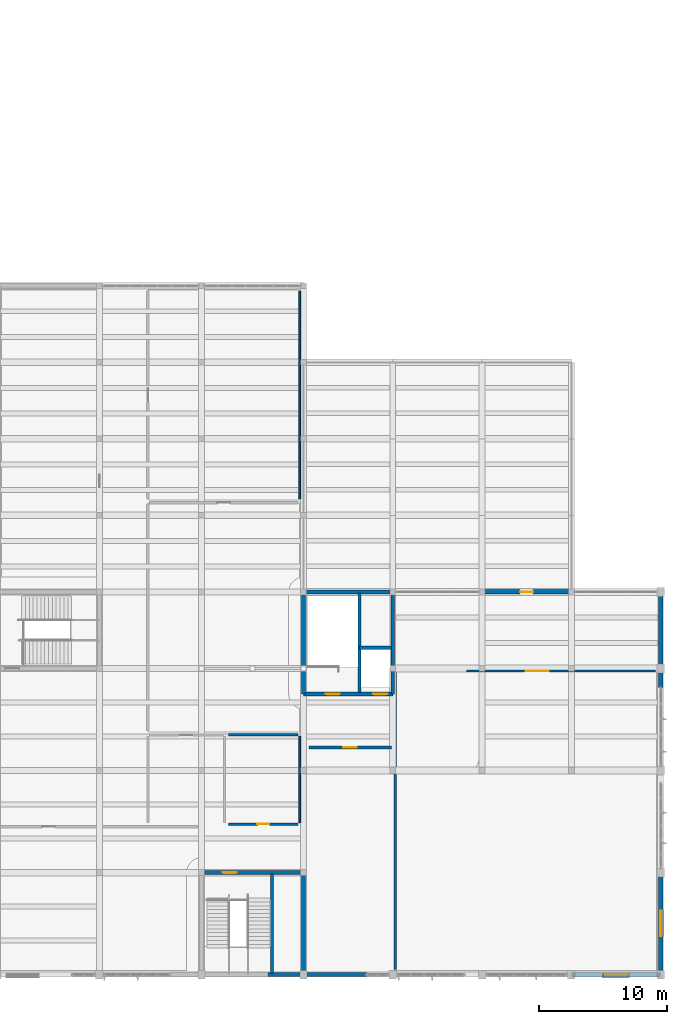
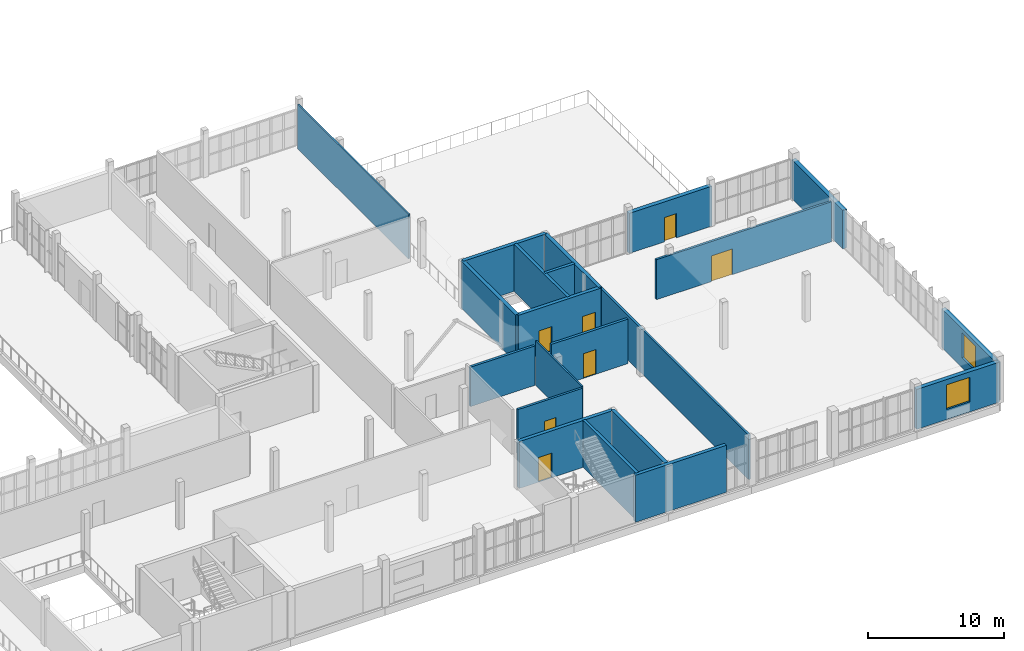
# One storey, part 57 of 70: 21 walls, 7 doors, 2 windows, 9 openings.
"""IFC4 building model written with IfcOpenShell, lengths in metres."""

from ifc_helpers import new_model, si_unit, direction, frame, frame_2d, origin, place, context, subcontext, project, spatial, rectangle, extrude, material, layer, layer_set, type_object, element, fill, save


model = new_model("IFC4")

# Units and contexts
model_context = context("Model", 3, precision=1e-05, world=origin(), true_north=direction((0.0, 1.0)))
body_context = subcontext(model_context, "Body", "Model", "MODEL_VIEW")
ifc_project = project(units=[si_unit("LENGTHUNIT", "METRE"), si_unit("AREAUNIT", "SQUARE_METRE"), si_unit("VOLUMEUNIT", "CUBIC_METRE"), si_unit("PLANEANGLEUNIT", "RADIAN"), si_unit("MASSUNIT", "GRAM", prefix="KILO")], contexts=[model_context])

# Site, building, storey
site_placement = place(None, origin())
site = spatial("IfcSite", under=ifc_project, at=site_placement, CompositionType="ELEMENT")
building_placement = place(site_placement, origin())
building = spatial("IfcBuilding", under=site, at=building_placement, Name="Solvane Community Centre", CompositionType="ELEMENT")
storey_placement = place(building_placement, frame((0.0, 0.0, 9.60009765625)))
storey = spatial("IfcBuildingStorey", under=building, at=storey_placement, Name="L02", CompositionType="ELEMENT", Elevation=9.60009765625)

# Walls
ifc_material_1 = material(Name="Gypsum board partition")
ifc_layer_1 = layer(ifc_material_1, 0.1298828125)
ifc_layer_set_1 = layer_set([ifc_layer_1], Name="Gypsum board partition")
wall_type_1 = type_object("IfcWallType", Name="Acoustic Partition 130mm [163x40dm]", PredefinedType="PARTITIONING", material=ifc_layer_set_1)
wall_1_placement = place(storey_placement, frame((139.699951171875, 43.320068359375, 0.0), z_axis=(0.0, 0.0, 1.0), x_axis=(0.0, 1.0, 0.0)))
element("IfcWall", 1, at=wall_1_placement, inside=storey, type_object=wall_type_1, Name="Interior Wall WL-INT-L02-0326", PredefinedType="PARTITIONING", context=body_context, shape_type="SweptSolid", body=[
    extrude(rectangle(XDim=16.260009765625, YDim=0.1298828125, at=frame_2d((8.1298828125, 0.0))), origin(), (0.0, 0.0, 1.0), 3.97998046875),
])
ifc_layer_2 = layer(ifc_material_1, 0.1298828125)
ifc_layer_set_2 = layer_set([ifc_layer_2], Name="Gypsum board partition")
wall_type_2 = type_object("IfcWallType", Name="Acoustic Partition 130mm [68x40dm]", PredefinedType="PARTITIONING", material=ifc_layer_set_2)
wall_2_placement = place(storey_placement, frame((139.699951171875, 17.919921875, 0.0), z_axis=(0.0, 0.0, 1.0), x_axis=(0.0, 1.0, 0.0)))
element("IfcWall", 2, at=wall_2_placement, inside=storey, type_object=wall_type_2, Name="Interior Wall WL-INT-L02-0321", PredefinedType="PARTITIONING", context=body_context, shape_type="SweptSolid", body=[
    extrude(rectangle(XDim=6.760009765625, YDim=0.1298828125, at=frame_2d((3.3798828125, 0.0))), origin(), (0.0, 0.0, 1.0), 3.97998046875),
])

# Wall, opening, door
ifc_layer_3 = layer(ifc_material_1, 0.18994140625)
ifc_layer_set_3 = layer_set([ifc_layer_3], Name="Gypsum board partition")
wall_type_3 = type_object("IfcWallType", Name="Acoustic Partition 190mm [55x40dm]", PredefinedType="PARTITIONING", material=ifc_layer_set_3)
wall_3_placement = place(storey_placement, frame((134.1201171875, 17.800048828125, 0.0), z_axis=(0.0, 0.0, 1.0), x_axis=(1.0, 0.0, 0.0)))
wall_3 = element("IfcWall", 3, at=wall_3_placement, inside=storey, type_object=wall_type_3, Name="Interior Wall WL-INT-L02-0319", PredefinedType="PARTITIONING", context=body_context, shape_type="SweptSolid", body=[
    extrude(rectangle(XDim=5.4599609375, YDim=0.18994140625, at=frame_2d((2.72998046875, 0.0))), origin(), (0.0, 0.0, 1.0), 3.97998046875),
])
opening_1_placement = place(wall_3_placement, frame((2.2548828125, 0.0, 0.0)))
opening_1 = element("IfcOpeningElement", 4, at=opening_1_placement, cuts=wall_3, Name="Opening ID03", PredefinedType="OPENING", context=body_context, shape_type="SweptSolid", body=[
    extrude(rectangle(XDim=0.949951171875, YDim=2.14990234375, at=frame_2d((0.47509765625, 1.074951171875))), frame((0.0, 0.10498046875, 0.0), z_axis=(0.0, -1.0, 0.0), x_axis=(1.0, 0.0, 0.0)), (0.0, 0.0, 1.0), 0.2099609375),
])
ifc_material_2 = material(Name="Anodised bronze aluminium AW-6063 T6", Category="aluminium")
door_type_1 = type_object("IfcDoorType", Name="Accessible Sanitary Door 950x2150", OperationType="NOTDEFINED", PredefinedType="DOOR", material=ifc_material_2)
door_1_placement = place(opening_1_placement, origin())
door_1 = element("IfcDoor", 5, at=door_1_placement, inside=storey, type_object=door_type_1, Name="L02-D123", OperationType="SINGLE_SWING_LEFT", OverallHeight=2.14990234375, OverallWidth=0.949951171875, PredefinedType="DOOR", context=body_context, shape_type="SweptSolid", body=[
    extrude(rectangle(XDim=0.949951171875, YDim=2.14990234375, at=frame_2d((0.47509765625, 1.074951171875))), frame((0.0, 0.02490234375, 0.0), z_axis=(0.0, -1.0, 0.0), x_axis=(1.0, 0.0, 0.0)), (0.0, 0.0, 1.0), 0.050048828125),
])
fill(opening_1, door_1)

# Wall
ifc_layer_4 = layer(ifc_material_1, 0.2099609375)
ifc_layer_set_4 = layer_set([ifc_layer_4], Name="Gypsum board partition")
wall_type_4 = type_object("IfcWallType", Name="Acoustic Partition 210mm [55x35dm]", PredefinedType="PARTITIONING", material=ifc_layer_set_4)
wall_4_placement = place(storey_placement, frame((139.580078125, 24.800048828125, 0.0), z_axis=(0.0, 0.0, 1.0), x_axis=(-1.0, 0.0, 0.0)))
element("IfcWall", 6, at=wall_4_placement, inside=storey, type_object=wall_type_4, Name="Interior Wall WL-INT-L02-0320", PredefinedType="PARTITIONING", context=body_context, shape_type="SweptSolid", body=[
    extrude(rectangle(XDim=5.4599609375, YDim=0.2099609375, at=frame_2d((2.72998046875, 0.0))), origin(), (0.0, 0.0, 1.0), 3.52490234375),
])

# Wall, opening, window
ifc_material_3 = material(Name="Precast concrete C35/45", Category="concrete")
ifc_layer_5 = layer(ifc_material_3, 0.35009765625)
ifc_layer_set_5 = layer_set([ifc_layer_5], Name="Precast concrete C35/45")
wall_type_5 = type_object("IfcWallType", Name="Art Deco Limestone Cavity Wall 350mm [70x36dm]", PredefinedType="SOLIDWALL", material=ifc_layer_set_5)
wall_5_placement = place(storey_placement, frame((168.0, 6.0, 0.0), z_axis=(0.0, 0.0, 1.0), x_axis=(-1.0, 0.0, 0.0)))
wall_5 = element("IfcWall", 7, at=wall_5_placement, inside=storey, type_object=wall_type_5, Name="Exterior Wall WL-EXT-L02-0106", PredefinedType="SOLIDWALL", context=body_context, shape_type="SweptSolid", body=[
    extrude(rectangle(XDim=7.0, YDim=0.35009765625, at=frame_2d((3.5, 0.0))), origin(), (0.0, 0.0, 1.0), 3.579833984375),
])
opening_2_placement = place(wall_5_placement, frame((2.5, 0.0, 0.89990234375)))
opening_2 = element("IfcOpeningElement", 8, at=opening_2_placement, cuts=wall_5, Name="Opening WN02", PredefinedType="OPENING", context=body_context, shape_type="SweptSolid", body=[
    extrude(rectangle(XDim=2.0, YDim=2.199951171875, at=frame_2d((1.0, 1.10009765625))), frame((0.0, 0.18505859375, 0.0), z_axis=(0.0, -1.0, 0.0), x_axis=(1.0, 0.0, 0.0)), (0.0, 0.0, 1.0), 0.3701171875),
])
ifc_material_4 = material(Name="Tempered low-E double glazing", Category="glass")
window_type = type_object("IfcWindowType", Name="Classroom Paired Window 2000x2200", PartitioningType="DOUBLE_PANEL_VERTICAL", PredefinedType="WINDOW", material=ifc_material_4)
window_1_placement = place(opening_2_placement, origin())
window_1 = element("IfcWindow", 9, at=window_1_placement, inside=storey, type_object=window_type, Name="L02-W049", OverallHeight=2.199951171875, OverallWidth=2.0, PartitioningType="DOUBLE_PANEL_VERTICAL", PredefinedType="WINDOW", context=body_context, shape_type="SweptSolid", body=[
    extrude(rectangle(XDim=2.0, YDim=2.199951171875, at=frame_2d((1.0, 1.10009765625))), frame((0.0, 0.030029296875, 0.0), z_axis=(0.0, -1.0, 0.0), x_axis=(1.0, 0.0, 0.0)), (0.0, 0.0, 1.0), 0.06005859375),
])
fill(opening_2, window_1)

# Wall, opening, door
wall_6_placement = place(storey_placement, frame((154.0, 36.0, 0.0), z_axis=(0.0, 0.0, 1.0), x_axis=(1.0, 0.0, 0.0)))
wall_6 = element("IfcWall", 10, at=wall_6_placement, inside=storey, type_object=wall_type_5, Name="Exterior Wall WL-EXT-L02-0124", PredefinedType="SOLIDWALL", context=body_context, shape_type="SweptSolid", body=[
    extrude(rectangle(XDim=7.0, YDim=0.35009765625, at=frame_2d((3.5, 0.0))), origin(), (0.0, 0.0, 1.0), 3.579833984375),
])
opening_3_placement = place(wall_6_placement, frame((2.989990234375, 0.0, 0.0)))
opening_3 = element("IfcOpeningElement", 11, at=opening_3_placement, cuts=wall_6, Name="Opening D09", PredefinedType="OPENING", context=body_context, shape_type="SweptSolid", body=[
    extrude(rectangle(XDim=1.02001953125, YDim=2.179931640625, at=frame_2d((0.510009765625, 1.08984375))), frame((0.0, 0.18505859375, 0.0), z_axis=(0.0, -1.0, 0.0), x_axis=(1.0, 0.0, 0.0)), (0.0, 0.0, 1.0), 0.3701171875),
])
door_type_2 = type_object("IfcDoorType", Name="Roof Garden Single Leaf 1020x2180", OperationType="NOTDEFINED", PredefinedType="DOOR", material=ifc_material_2)
door_2_placement = place(opening_3_placement, origin())
door_2 = element("IfcDoor", 12, at=door_2_placement, inside=storey, type_object=door_type_2, Name="L02-ED30", OperationType="SINGLE_SWING_LEFT", OverallHeight=2.179931640625, OverallWidth=1.02001953125, PredefinedType="DOOR", context=body_context, shape_type="SweptSolid", body=[
    extrude(rectangle(XDim=1.02001953125, YDim=2.179931640625, at=frame_2d((0.510009765625, 1.08984375))), frame((0.0, 0.02490234375, 0.0), z_axis=(0.0, -1.0, 0.0), x_axis=(1.0, 0.0, 0.0)), (0.0, 0.0, 1.0), 0.050048828125),
])
fill(opening_3, door_2)

# Wall
ifc_layer_6 = layer(ifc_material_3, 0.35009765625)
ifc_layer_set_6 = layer_set([ifc_layer_6], Name="Precast concrete C35/45")
wall_type_6 = type_object("IfcWallType", Name="Art Deco Limestone Cavity Wall 350mm [75x35dm]", PredefinedType="SOLIDWALL", material=ifc_layer_set_6)
wall_7_placement = place(storey_placement, frame((168.0, 36.0, 0.0), z_axis=(0.0, 0.0, 1.0), x_axis=(0.0, -1.0, 0.0)))
element("IfcWall", 13, at=wall_7_placement, inside=storey, type_object=wall_type_6, Name="Exterior Wall WL-EXT-L02-0125", PredefinedType="SOLIDWALL", context=body_context, shape_type="SweptSolid", body=[
    extrude(rectangle(XDim=7.5, YDim=0.35009765625, at=frame_2d((3.75, 0.0))), origin(), (0.0, 0.0, 1.0), 3.46484375),
])

# Wall, opening, window
ifc_layer_7 = layer(ifc_material_3, 0.35009765625)
ifc_layer_set_7 = layer_set([ifc_layer_7], Name="Precast concrete C35/45")
wall_type_7 = type_object("IfcWallType", Name="Art Deco Limestone Cavity Wall 350mm [80x35dm]", PredefinedType="SOLIDWALL", material=ifc_layer_set_7)
wall_8_placement = place(storey_placement, frame((168.0, 14.0, 0.0), z_axis=(0.0, 0.0, 1.0), x_axis=(0.0, -1.0, 0.0)))
wall_8 = element("IfcWall", 14, at=wall_8_placement, inside=storey, type_object=wall_type_7, Name="Exterior Wall WL-EXT-L02-0126", PredefinedType="SOLIDWALL", context=body_context, shape_type="SweptSolid", body=[
    extrude(rectangle(XDim=8.0, YDim=0.35009765625, at=frame_2d((4.0, 0.0))), origin(), (0.0, 0.0, 1.0), 3.46484375),
])
opening_4_placement = place(wall_8_placement, frame((3.0, 0.0, 0.89990234375)))
opening_4 = element("IfcOpeningElement", 15, at=opening_4_placement, cuts=wall_8, Name="Opening WN02", PredefinedType="OPENING", context=body_context, shape_type="SweptSolid", body=[
    extrude(rectangle(XDim=2.0, YDim=2.199951171875, at=frame_2d((1.0, 1.10009765625))), frame((0.0, 0.18505859375, 0.0), z_axis=(0.0, -1.0, 0.0), x_axis=(1.0, 0.0, 0.0)), (0.0, 0.0, 1.0), 0.3701171875),
])
window_2_placement = place(opening_4_placement, origin())
window_2 = element("IfcWindow", 16, at=window_2_placement, inside=storey, type_object=window_type, Name="L02-W054", OverallHeight=2.199951171875, OverallWidth=2.0, PartitioningType="DOUBLE_PANEL_VERTICAL", PredefinedType="WINDOW", context=body_context, shape_type="SweptSolid", body=[
    extrude(rectangle(XDim=2.0, YDim=2.199951171875, at=frame_2d((1.0, 1.10009765625))), frame((0.0, 0.030029296875, 0.0), z_axis=(0.0, -1.0, 0.0), x_axis=(1.0, 0.0, 0.0)), (0.0, 0.0, 1.0), 0.06005859375),
])
fill(opening_4, window_2)

# Wall, opening, door
ifc_material_5 = material(Name="Terracotta clay masonry", Category="masonry")
ifc_layer_8 = layer(ifc_material_5, 0.219970703125)
ifc_layer_set_8 = layer_set([ifc_layer_8], Name="Terracotta clay masonry")
wall_type_8 = type_object("IfcWallType", Name="Masonry Compartment Wall 220mm [65x40dm]", PredefinedType="SOLIDWALL", material=ifc_layer_set_8)
wall_9_placement = place(storey_placement, frame((146.8798828125, 23.800048828125, 0.0), z_axis=(0.0, 0.0, 1.0), x_axis=(-1.0, 0.0, 0.0)))
wall_9 = element("IfcWall", 17, at=wall_9_placement, inside=storey, type_object=wall_type_8, Name="Interior Wall WL-INT-L02-0329", PredefinedType="SOLIDWALL", context=body_context, shape_type="SweptSolid", body=[
    extrude(rectangle(XDim=6.4599609375, YDim=0.219970703125, at=frame_2d((3.22998046875, 0.0))), origin(), (0.0, 0.0, 1.0), 3.97998046875),
])
opening_5_placement = place(wall_9_placement, frame((2.705078125, 0.0, 0.0)))
opening_5 = element("IfcOpeningElement", 18, at=opening_5_placement, cuts=wall_9, Name="Opening FD01", PredefinedType="OPENING", context=body_context, shape_type="SweptSolid", body=[
    extrude(rectangle(XDim=1.050048828125, YDim=2.199951171875, at=frame_2d((0.52490234375, 1.10009765625))), frame((0.0, 0.119873046875, 0.0), z_axis=(0.0, -1.0, 0.0), x_axis=(1.0, 0.0, 0.0)), (0.0, 0.0, 1.0), 0.239990234375),
])
door_type_3 = type_object("IfcDoorType", Name="Compartment Fire Door 1050x2200", OperationType="NOTDEFINED", PredefinedType="DOOR", material=ifc_material_2)
door_3_placement = place(opening_5_placement, origin())
door_3 = element("IfcDoor", 19, at=door_3_placement, inside=storey, type_object=door_type_3, Name="L02-D128", OperationType="SINGLE_SWING_LEFT", OverallHeight=2.199951171875, OverallWidth=1.050048828125, PredefinedType="DOOR", context=body_context, shape_type="SweptSolid", body=[
    extrude(rectangle(XDim=1.050048828125, YDim=2.199951171875, at=frame_2d((0.52490234375, 1.10009765625))), frame((0.0, 0.02490234375, 0.0), z_axis=(0.0, -1.0, 0.0), x_axis=(1.0, 0.0, 0.0)), (0.0, 0.0, 1.0), 0.050048828125),
])
fill(opening_5, door_3)

ifc_layer_9 = layer(ifc_material_1, 0.179931640625)
ifc_layer_set_9 = layer_set([ifc_layer_9], Name="Gypsum board partition")
wall_type_9 = type_object("IfcWallType", Name="Protected Corridor Wall 180mm [148x36dm]", PredefinedType="PARTITIONING", material=ifc_layer_set_9)
wall_10_placement = place(storey_placement, frame((167.580078125, 29.800048828125, 0.0), z_axis=(0.0, 0.0, 1.0), x_axis=(-1.0, 0.0, 0.0)))
wall_10 = element("IfcWall", 20, at=wall_10_placement, inside=storey, type_object=wall_type_9, Name="Interior Wall WL-INT-L02-0327", PredefinedType="PARTITIONING", context=body_context, shape_type="SweptSolid", body=[
    extrude(rectangle(XDim=14.820068359375, YDim=0.179931640625, at=frame_2d((7.41015625, 0.0))), origin(), (0.0, 0.0, 1.0), 3.579833984375),
])
opening_6_placement = place(wall_10_placement, frame((8.373046875, 0.0, 0.0)))
opening_6 = element("IfcOpeningElement", 21, at=opening_6_placement, cuts=wall_10, Name="Opening ID02", PredefinedType="OPENING", context=body_context, shape_type="SweptSolid", body=[
    extrude(rectangle(XDim=1.800048828125, YDim=2.300048828125, at=frame_2d((0.89990234375, 1.14990234375))), frame((0.0, 0.099853515625, 0.0), z_axis=(0.0, -1.0, 0.0), x_axis=(1.0, 0.0, 0.0)), (0.0, 0.0, 1.0), 0.199951171875),
])
door_type_4 = type_object("IfcDoorType", Name="Hall Acoustic Double Door 1800x2300", OperationType="NOTDEFINED", PredefinedType="DOOR", material=ifc_material_2)
door_4_placement = place(opening_6_placement, origin())
door_4 = element("IfcDoor", 22, at=door_4_placement, inside=storey, type_object=door_type_4, Name="L02-D127", OperationType="DOUBLE_DOOR_SINGLE_SWING", OverallHeight=2.300048828125, OverallWidth=1.800048828125, PredefinedType="DOOR", context=body_context, shape_type="SweptSolid", body=[
    extrude(rectangle(XDim=1.800048828125, YDim=2.300048828125, at=frame_2d((0.89990234375, 1.14990234375))), frame((0.0, 0.02490234375, 0.0), z_axis=(0.0, -1.0, 0.0), x_axis=(1.0, 0.0, 0.0)), (0.0, 0.0, 1.0), 0.050048828125),
])
fill(opening_6, door_4)

# Wall
ifc_layer_10 = layer(ifc_material_1, 0.179931640625)
ifc_layer_set_10 = layer_set([ifc_layer_10], Name="Gypsum board partition")
wall_type_10 = type_object("IfcWallType", Name="Protected Corridor Wall 180mm [233x40dm]", PredefinedType="PARTITIONING", material=ifc_layer_set_10)
wall_11_placement = place(storey_placement, frame((147.199951171875, 29.679931640625, 0.0), z_axis=(0.0, 0.0, 1.0), x_axis=(0.0, -1.0, 0.0)))
element("IfcWall", 23, at=wall_11_placement, inside=storey, type_object=wall_type_10, Name="Interior Wall WL-INT-L02-0328", PredefinedType="PARTITIONING", context=body_context, shape_type="SweptSolid", body=[
    extrude(rectangle(XDim=23.260009765625, YDim=0.179931640625, at=frame_2d((11.6298828125, 0.0))), origin(), (0.0, 0.0, 1.0), 3.97998046875),
])

# Wall, openings, doors
ifc_material_6 = material(Name="Concrete C35/45", Category="concrete")
ifc_layer_11 = layer(ifc_material_6, 0.300048828125)
ifc_layer_set_11 = layer_set([ifc_layer_11], Name="Concrete C35/45")
wall_type_11 = type_object("IfcWallType", Name="RC Core Shear Wall 300mm [70x42dm]", PredefinedType="SHEAR", material=ifc_layer_set_11)
wall_12_placement = place(storey_placement, frame((147.0, 28.0, 0.0), z_axis=(0.0, 0.0, 1.0), x_axis=(-1.0, 0.0, 0.0)))
wall_12 = element("IfcWall", 24, at=wall_12_placement, inside=storey, type_object=wall_type_11, Name="Interior Wall WL-INT-L02-0117", PredefinedType="SHEAR", context=body_context, shape_type="SweptSolid", body=[
    extrude(rectangle(XDim=7.0, YDim=0.300048828125, at=frame_2d((3.5, 0.0))), origin(), (0.0, 0.0, 1.0), 4.199951171875),
])
opening_7_placement = place(wall_12_placement, frame((4.14990234375, 0.0, 0.0)))
opening_7 = element("IfcOpeningElement", 25, at=opening_7_placement, cuts=wall_12, Name="Opening SD02", PredefinedType="OPENING", context=body_context, shape_type="SweptSolid", body=[
    extrude(rectangle(XDim=1.10009765625, YDim=2.199951171875, at=frame_2d((0.550048828125, 1.10009765625))), frame((0.0, 0.159912109375, 0.0), z_axis=(0.0, -1.0, 0.0), x_axis=(1.0, 0.0, 0.0)), (0.0, 0.0, 1.0), 0.320068359375),
])
opening_8_placement = place(wall_12_placement, frame((0.449951171875, 0.0, 0.0)))
opening_8 = element("IfcOpeningElement", 26, at=opening_8_placement, cuts=wall_12, Name="Opening LD01", PredefinedType="OPENING", context=body_context, shape_type="SweptSolid", body=[
    extrude(rectangle(XDim=1.10009765625, YDim=2.199951171875, at=frame_2d((0.550048828125, 1.10009765625))), frame((0.0, 0.159912109375, 0.0), z_axis=(0.0, -1.0, 0.0), x_axis=(1.0, 0.0, 0.0)), (0.0, 0.0, 1.0), 0.320068359375),
])
door_type_5 = type_object("IfcDoorType", Name="Core Stair Fire Door 1100x2200", OperationType="NOTDEFINED", PredefinedType="DOOR", material=ifc_material_2)
door_5_placement = place(opening_7_placement, origin())
door_5 = element("IfcDoor", 27, at=door_5_placement, inside=storey, type_object=door_type_5, Name="L02-D043", OperationType="SINGLE_SWING_LEFT", OverallHeight=2.199951171875, OverallWidth=1.10009765625, PredefinedType="DOOR", context=body_context, shape_type="SweptSolid", body=[
    extrude(rectangle(XDim=1.10009765625, YDim=2.199951171875, at=frame_2d((0.550048828125, 1.10009765625))), frame((0.0, 0.02490234375, 0.0), z_axis=(0.0, -1.0, 0.0), x_axis=(1.0, 0.0, 0.0)), (0.0, 0.0, 1.0), 0.050048828125),
])
fill(opening_7, door_5)
door_type_6 = type_object("IfcDoorType", Name="Lift Sliding Landing Door 1100x2200", OperationType="NOTDEFINED", PredefinedType="DOOR", material=ifc_material_2)
door_6_placement = place(opening_8_placement, origin())
door_6 = element("IfcDoor", 28, at=door_6_placement, inside=storey, type_object=door_type_6, Name="L02-D044", OperationType="SLIDING_TO_LEFT", OverallHeight=2.199951171875, OverallWidth=1.10009765625, PredefinedType="DOOR", context=body_context, shape_type="SweptSolid", body=[
    extrude(rectangle(XDim=1.10009765625, YDim=2.199951171875, at=frame_2d((0.550048828125, 1.10009765625))), frame((0.0, 0.02490234375, 0.0), z_axis=(0.0, -1.0, 0.0), x_axis=(1.0, 0.0, 0.0)), (0.0, 0.0, 1.0), 0.050048828125),
])
fill(opening_8, door_6)

# Wall, opening, door
ifc_layer_12 = layer(ifc_material_6, 0.300048828125)
ifc_layer_set_12 = layer_set([ifc_layer_12], Name="Concrete C35/45")
wall_type_12 = type_object("IfcWallType", Name="RC Core Shear Wall 300mm [80x42dm]", PredefinedType="SHEAR", material=ifc_layer_set_12)
wall_13_placement = place(storey_placement, frame((132.0, 14.0, 0.0), z_axis=(0.0, 0.0, 1.0), x_axis=(1.0, 0.0, 0.0)))
wall_13 = element("IfcWall", 29, at=wall_13_placement, inside=storey, type_object=wall_type_12, Name="Interior Wall WL-INT-L02-0063", PredefinedType="SHEAR", context=body_context, shape_type="SweptSolid", body=[
    extrude(rectangle(XDim=8.0, YDim=0.300048828125, at=frame_2d((4.0, 0.0))), origin(), (0.0, 0.0, 1.0), 4.199951171875),
])
opening_9_placement = place(wall_13_placement, frame((1.64990234375, 0.0, 0.0)))
opening_9 = element("IfcOpeningElement", 30, at=opening_9_placement, cuts=wall_13, Name="Opening SD02", PredefinedType="OPENING", context=body_context, shape_type="SweptSolid", body=[
    extrude(rectangle(XDim=1.10009765625, YDim=2.199951171875, at=frame_2d((0.550048828125, 1.10009765625))), frame((0.0, 0.159912109375, 0.0), z_axis=(0.0, -1.0, 0.0), x_axis=(1.0, 0.0, 0.0)), (0.0, 0.0, 1.0), 0.320068359375),
])
door_7_placement = place(opening_9_placement, origin())
door_7 = element("IfcDoor", 31, at=door_7_placement, inside=storey, type_object=door_type_5, Name="L02-D025", OperationType="SINGLE_SWING_LEFT", OverallHeight=2.199951171875, OverallWidth=1.10009765625, PredefinedType="DOOR", context=body_context, shape_type="SweptSolid", body=[
    extrude(rectangle(XDim=1.10009765625, YDim=2.199951171875, at=frame_2d((0.550048828125, 1.10009765625))), frame((0.0, 0.02490234375, 0.0), z_axis=(0.0, -1.0, 0.0), x_axis=(1.0, 0.0, 0.0)), (0.0, 0.0, 1.0), 0.050048828125),
])
fill(opening_9, door_7)

# Walls
for number, where, z_axis, x_axis, name in (
    (32, (140.0, 14.0, 0.0), (0.0, 0.0, 1.0), (0.0, -1.0, 0.0), "Interior Wall WL-INT-L02-0064"),
    (33, (140.0, 28.0, 0.0), (0.0, 0.0, 1.0), (0.0, 1.0, 0.0), "Interior Wall WL-INT-L02-0118"),
    (34, (147.0, 36.0, 0.0), (0.0, 0.0, 1.0), (0.0, -1.0, 0.0), "Interior Wall WL-INT-L02-0119"),
):
    element("IfcWall", number, at=place(storey_placement, frame(where, z_axis=z_axis, x_axis=x_axis)), inside=storey, type_object=wall_type_12, Name=name, PredefinedType="SHEAR", context=body_context, shape_type="SweptSolid", body=[
        extrude(rectangle(XDim=8.0, YDim=0.300048828125, at=frame_2d((4.0, 0.0))), origin(), (0.0, 0.0, 1.0), 4.199951171875),
    ])
ifc_layer_13 = layer(ifc_material_6, 0.300048828125)
ifc_layer_set_13 = layer_set([ifc_layer_13], Name="Concrete C35/45")
wall_type_13 = type_object("IfcWallType", Name="RC Exterior Core Strip Wall 300mm [70x36dm]", PredefinedType="SOLIDWALL", material=ifc_layer_set_13)
wall_14_placement = place(storey_placement, frame((140.0, 36.0, 0.0), z_axis=(0.0, 0.0, 1.0), x_axis=(1.0, 0.0, 0.0)))
element("IfcWall", 35, at=wall_14_placement, inside=storey, type_object=wall_type_13, Name="Exterior Wall WL-EXT-L02-0123", PredefinedType="SOLIDWALL", context=body_context, shape_type="SweptSolid", body=[
    extrude(rectangle(XDim=7.0, YDim=0.300048828125, at=frame_2d((3.5, 0.0))), origin(), (0.0, 0.0, 1.0), 4.199951171875),
])
ifc_layer_14 = layer(ifc_material_6, 0.300048828125)
ifc_layer_set_14 = layer_set([ifc_layer_14], Name="Concrete C35/45")
wall_type_14 = type_object("IfcWallType", Name="RC Exterior Core Strip Wall 300mm [77x34dm]", PredefinedType="SOLIDWALL", material=ifc_layer_set_14)
wall_15_placement = place(storey_placement, frame((144.923095703125, 6.0, 0.0), z_axis=(0.0, 0.0, 1.0), x_axis=(-1.0, 0.0, 0.0)))
element("IfcWall", 36, at=wall_15_placement, inside=storey, type_object=wall_type_14, Name="Exterior Wall WL-EXT-L02-0107", PredefinedType="SOLIDWALL", context=body_context, shape_type="SweptSolid", body=[
    extrude(rectangle(XDim=7.6923828125, YDim=0.300048828125, at=frame_2d((3.84619140625, 0.0))), origin(), (0.0, 0.0, 1.0), 4.199951171875),
])
ifc_layer_15 = layer(ifc_material_6, 0.25)
ifc_layer_set_15 = layer_set([ifc_layer_15], Name="Concrete C35/45")
wall_type_15 = type_object("IfcWallType", Name="RC Lift Shaft Wall 250mm [25x42dm]", PredefinedType="SHEAR", material=ifc_layer_set_15)
wall_16_placement = place(storey_placement, frame((144.39990234375, 31.6201171875, 0.0), z_axis=(0.0, 0.0, 1.0), x_axis=(1.0, 0.0, 0.0)))
element("IfcWall", 37, at=wall_16_placement, inside=storey, type_object=wall_type_15, Name="Interior Wall WL-INT-L02-0121", PredefinedType="SHEAR", context=body_context, shape_type="SweptSolid", body=[
    extrude(rectangle(XDim=2.5, YDim=0.25, at=frame_2d((1.25, 0.0))), origin(), (0.0, 0.0, 1.0), 4.199951171875),
])
ifc_layer_16 = layer(ifc_material_6, 0.25)
ifc_layer_set_16 = layer_set([ifc_layer_16], Name="Concrete C35/45")
wall_type_16 = type_object("IfcWallType", Name="RC Lift Shaft Wall 250mm [78x42dm]", PredefinedType="SHEAR", material=ifc_layer_set_16)
for number, where, z_axis, x_axis, name in (
    (38, (137.52001953125, 6.10009765625, 0.0), (0.0, 0.0, 1.0), (0.0, 1.0, 0.0), "Interior Wall WL-INT-L02-0065"),
    (39, (144.39990234375, 28.10009765625, 0.0), (0.0, 0.0, 1.0), (0.0, 1.0, 0.0), "Interior Wall WL-INT-L02-0120"),
):
    element("IfcWall", number, at=place(storey_placement, frame(where, z_axis=z_axis, x_axis=x_axis)), inside=storey, type_object=wall_type_16, Name=name, PredefinedType="SHEAR", context=body_context, shape_type="SweptSolid", body=[
        extrude(rectangle(XDim=7.7998046875, YDim=0.25, at=frame_2d((3.89990234375, 0.0))), origin(), (0.0, 0.0, 1.0), 4.199951171875),
    ])

save(model, "model.ifc")
